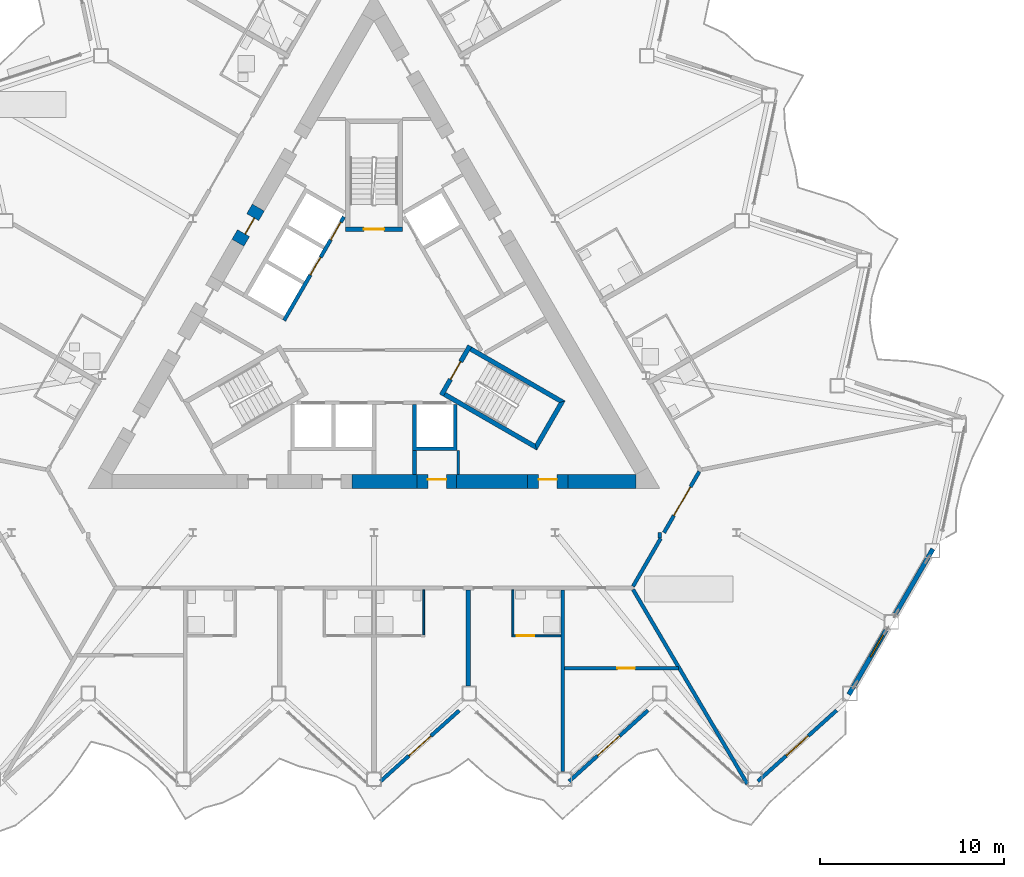
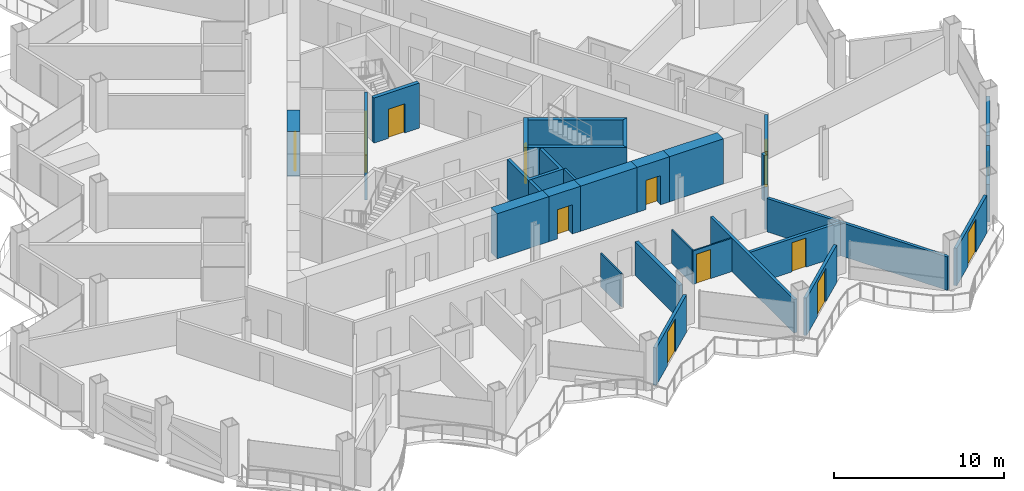
# One storey, part 12 of 23: 30 walls, 13 doors, 1 window, 14 openings.
"""IFC4 building model written with IfcOpenShell, lengths in metres."""

from ifc_helpers import new_model, si_unit, direction, frame, frame_2d, origin, place, context, subcontext, project, spatial, polyline, rectangle, outline, extrude, material, layer, layer_set, type_object, element, fill, save


model = new_model("IFC4")

# Units and contexts
model_context = context("Model", 3, precision=1e-05, world=origin(), true_north=direction((0.0, 1.0)))
body_context = subcontext(model_context, "Body", "Model", "MODEL_VIEW")
ifc_project = project(units=[si_unit("LENGTHUNIT", "METRE"), si_unit("AREAUNIT", "SQUARE_METRE"), si_unit("VOLUMEUNIT", "CUBIC_METRE"), si_unit("PLANEANGLEUNIT", "RADIAN"), si_unit("MASSUNIT", "GRAM", prefix="KILO")], contexts=[model_context])

# Site, building, storey
site_placement = place(None, origin())
site = spatial("IfcSite", under=ifc_project, at=site_placement, CompositionType="ELEMENT")
building_placement = place(site_placement, origin())
building = spatial("IfcBuilding", under=site, at=building_placement, Name="Cormorant Prow Tower", CompositionType="ELEMENT")
storey_placement = place(building_placement, frame((0.0, 0.0, 176.39990234375)))
storey = spatial("IfcBuildingStorey", under=building, at=storey_placement, Name="L37", CompositionType="ELEMENT", Elevation=176.39990234375)

# Walls
ifc_material_1 = material(Name="Gypsum board partition")
ifc_layer_1 = layer(ifc_material_1, 0.14990234375)
ifc_layer_set_1 = layer_set([ifc_layer_1], Name="Gypsum board partition")
wall_type_1 = type_object("IfcWallType", Name="Core partition 150", PredefinedType="PARTITIONING", material=ifc_layer_set_1)
wall_1_placement = place(storey_placement, frame((4.574951171875, -6.906005859375, 0.0), z_axis=(0.0, 0.0, 1.0), x_axis=(0.0, -1.0, 0.0)))
element("IfcWall", 1, at=wall_1_placement, inside=storey, type_object=wall_type_1, Name="Service room partition", PredefinedType="PARTITIONING", context=body_context, shape_type="SweptSolid", body=[
    extrude(rectangle(XDim=1.29296875, YDim=0.14990234375, at=frame_2d((0.646484375, 0.0))), origin(), (0.0, 0.0, 1.0), 3.25),
])
ifc_material_2 = material(Name="Concrete 8000 psi", Category="concrete")
ifc_layer_2 = layer(ifc_material_2, 0.75)
ifc_layer_set_2 = layer_set([ifc_layer_2], Name="Concrete 8000 psi")
wall_type_2 = type_object("IfcWallType", Name="Core shear wall 750", PredefinedType="SHEAR", material=ifc_layer_set_2)
wall_2_placement = place(storey_placement, frame((4.47998046875, -8.573974609375, 0.0), z_axis=(0.0, 0.0, 1.0), x_axis=(1.0, 0.0, 0.0)))
element("IfcWall", 2, at=wall_2_placement, inside=storey, type_object=wall_type_2, Name="Core wall", PredefinedType="SHEAR", context=body_context, shape_type="SweptSolid", body=[
    extrude(rectangle(XDim=3.845458984375, YDim=0.75, at=frame_2d((1.9228515625, 0.0))), origin(), (0.0, 0.0, 1.0), 3.25),
])
wall_3_placement = place(storey_placement, frame((10.525390625, -8.573974609375, 0.0), z_axis=(0.0, 0.0, 1.0), x_axis=(1.0, 0.0, 0.0)))
element("IfcWall", 3, at=wall_3_placement, inside=storey, type_object=wall_type_2, Name="Core wall", PredefinedType="SHEAR", context=body_context, shape_type="SweptSolid", body=[
    extrude(rectangle(XDim=3.675537109375, YDim=0.75, at=frame_2d((1.837890625, 0.0))), origin(), (0.0, 0.0, 1.0), 3.25),
])
wall_4_placement = place(storey_placement, frame((-1.199951171875, -8.573974609375, 0.0), z_axis=(0.0, 0.0, 1.0), x_axis=(1.0, 0.0, 0.0)))
element("IfcWall", 4, at=wall_4_placement, inside=storey, type_object=wall_type_2, Name="Core wall", PredefinedType="SHEAR", context=body_context, shape_type="SweptSolid", body=[
    extrude(rectangle(XDim=3.52001953125, YDim=0.75, at=frame_2d((1.760009765625, 0.0))), origin(), (0.0, 0.0, 1.0), 3.25),
])

# Wall, opening, door
wall_5_placement = place(storey_placement, frame((2.320068359375, -8.573974609375, 0.0), z_axis=(0.0, 0.0, 1.0), x_axis=(1.0, 0.0, 0.0)))
wall_5 = element("IfcWall", 5, at=wall_5_placement, inside=storey, type_object=wall_type_2, Name="Core wall door panel", PredefinedType="SHEAR", context=body_context, shape_type="SweptSolid", body=[
    extrude(rectangle(XDim=2.159912109375, YDim=0.75, at=frame_2d((1.080078125, 0.0))), origin(), (0.0, 0.0, 1.0), 3.25),
])
opening_1_placement = place(wall_5_placement, frame((0.60009765625, 0.0, 0.0)))
opening_1 = element("IfcOpeningElement", 6, at=opening_1_placement, cuts=wall_5, Name="Opening L37-C15", PredefinedType="OPENING", context=body_context, shape_type="SweptSolid", body=[
    extrude(rectangle(XDim=1.0, YDim=2.10009765625, at=frame_2d((0.5, 1.050048828125))), frame((0.0, 0.385009765625, 0.0), z_axis=(0.0, -1.0, 0.0), x_axis=(1.0, 0.0, 0.0)), (0.0, 0.0, 1.0), 0.77001953125),
])
ifc_material_3 = material(Name="Painted steel", Category="steel")
door_type_1 = type_object("IfcDoorType", Name="Service door 1000x2100", OperationType="NOTDEFINED", PredefinedType="DOOR", material=ifc_material_3)
door_1_placement = place(opening_1_placement, origin())
door_1 = element("IfcDoor", 7, at=door_1_placement, inside=storey, type_object=door_type_1, Name="Core door, Telecom room", OperationType="SINGLE_SWING_LEFT", OverallHeight=2.10009765625, OverallWidth=1.0, PredefinedType="DOOR", context=body_context, shape_type="SweptSolid", body=[
    extrude(rectangle(XDim=1.0, YDim=2.10009765625, at=frame_2d((0.5, 1.050048828125))), frame((0.0, 0.1298828125, 0.0), z_axis=(0.0, -1.0, 0.0), x_axis=(1.0, 0.0, 0.0)), (0.0, 0.0, 1.0), 0.050048828125),
])
fill(opening_1, door_1)

wall_6_placement = place(storey_placement, frame((8.325439453125, -8.573974609375, 0.0), z_axis=(0.0, 0.0, 1.0), x_axis=(1.0, 0.0, 0.0)))
wall_6 = element("IfcWall", 8, at=wall_6_placement, inside=storey, type_object=wall_type_2, Name="Core wall door panel", PredefinedType="SHEAR", context=body_context, shape_type="SweptSolid", body=[
    extrude(rectangle(XDim=2.199951171875, YDim=0.75, at=frame_2d((1.10009765625, 0.0))), origin(), (0.0, 0.0, 1.0), 3.25),
])
opening_2_placement = place(wall_6_placement, frame((0.60009765625, 0.0, 0.0)))
opening_2 = element("IfcOpeningElement", 9, at=opening_2_placement, cuts=wall_6, Name="Opening L37-C17", PredefinedType="OPENING", context=body_context, shape_type="SweptSolid", body=[
    extrude(rectangle(XDim=1.0, YDim=2.10009765625, at=frame_2d((0.5, 1.050048828125))), frame((0.0, 0.385009765625, 0.0), z_axis=(0.0, -1.0, 0.0), x_axis=(1.0, 0.0, 0.0)), (0.0, 0.0, 1.0), 0.77001953125),
])
door_2_placement = place(opening_2_placement, origin())
door_2 = element("IfcDoor", 10, at=door_2_placement, inside=storey, type_object=door_type_1, Name="Core door, Cleaners store", OperationType="SINGLE_SWING_LEFT", OverallHeight=2.10009765625, OverallWidth=1.0, PredefinedType="DOOR", context=body_context, shape_type="SweptSolid", body=[
    extrude(rectangle(XDim=1.0, YDim=2.10009765625, at=frame_2d((0.5, 1.050048828125))), frame((0.0, 0.1298828125, 0.0), z_axis=(0.0, -1.0, 0.0), x_axis=(1.0, 0.0, 0.0)), (0.0, 0.0, 1.0), 0.050048828125),
])
fill(opening_2, door_2)

wall_7_placement = place(storey_placement, frame((-6.275390625, 6.27880859375, 0.0), z_axis=(0.0, 0.0, 1.0), x_axis=(-0.499946605688, -0.86605622881, 0.0)))
wall_7 = element("IfcWall", 11, at=wall_7_placement, inside=storey, type_object=wall_type_2, Name="Core wall door panel", PredefinedType="SHEAR", context=body_context, shape_type="SweptSolid", body=[
    extrude(rectangle(XDim=2.199951171875, YDim=0.75, at=frame_2d((1.10009765625, 0.0))), origin(), (0.0, 0.0, 1.0), 3.25),
])
opening_3_placement = place(wall_7_placement, frame((0.60009765625, 0.0, 0.0)))
opening_3 = element("IfcOpeningElement", 12, at=opening_3_placement, cuts=wall_7, Name="Opening L37-C18", PredefinedType="OPENING", context=body_context, shape_type="SweptSolid", body=[
    extrude(rectangle(XDim=1.0, YDim=2.10009765625, at=frame_2d((0.5, 1.050048828125))), frame((0.0, 0.385009765625, 0.0), z_axis=(0.0, -1.0, 0.0), x_axis=(1.0, 0.0, 0.0)), (0.0, 0.0, 1.0), 0.77001953125),
])
door_3_placement = place(opening_3_placement, origin())
door_3 = element("IfcDoor", 13, at=door_3_placement, inside=storey, type_object=door_type_1, Name="Core door, Electrical room", OperationType="SINGLE_SWING_RIGHT", OverallHeight=2.10009765625, OverallWidth=1.0, PredefinedType="DOOR", context=body_context, shape_type="SweptSolid", body=[
    extrude(rectangle(XDim=1.0, YDim=2.10009765625, at=frame_2d((0.5, 1.050048828125))), frame((0.0, 0.1298828125, 0.0), z_axis=(0.0, -1.0, 0.0), x_axis=(1.0, 0.0, 0.0)), (0.0, 0.0, 1.0), 0.050048828125),
])
fill(opening_3, door_3)

ifc_material_4 = material(Name="Gypsum board corridor wall")
ifc_layer_3 = layer(ifc_material_4, 0.199951171875)
ifc_layer_set_3 = layer_set([ifc_layer_3], Name="Gypsum board corridor wall")
wall_type_3 = type_object("IfcWallType", Name="Corridor wall 200", PredefinedType="PARTITIONING", material=ifc_layer_set_3)
wall_8_placement = place(storey_placement, frame((15.73095703125, -11.348876953125, 0.0), z_axis=(0.0, 0.0, 1.0), x_axis=(0.499961815444, 0.866047448526, 0.0)))
wall_8 = element("IfcWall", 14, at=wall_8_placement, inside=storey, type_object=wall_type_3, Name="Corridor wall", PredefinedType="PARTITIONING", context=body_context, shape_type="SweptSolid", body=[
    extrude(rectangle(XDim=3.825927734375, YDim=0.199951171875, at=frame_2d((1.9130859375, 0.0))), origin(), (0.0, 0.0, 1.0), 3.25),
])
opening_4_placement = place(wall_8_placement, frame((1.06396484375, 0.0, 0.0)))
opening_4 = element("IfcOpeningElement", 15, at=opening_4_placement, cuts=wall_8, Name="Opening L37-F13", PredefinedType="OPENING", context=body_context, shape_type="SweptSolid", body=[
    extrude(rectangle(XDim=1.800048828125, YDim=2.10009765625, at=frame_2d((0.89990234375, 1.050048828125))), frame((0.0, 0.10986328125, 0.0), z_axis=(0.0, -1.0, 0.0), x_axis=(1.0, 0.0, 0.0)), (0.0, 0.0, 1.0), 0.219970703125),
])
ifc_material_5 = material(Name="Timber door leaf", Category="wood")
door_type_2 = type_object("IfcDoorType", Name="Double door 1800x2100", OperationType="DOUBLE_DOOR_SINGLE_SWING", PredefinedType="DOOR", material=ifc_material_5)
door_4_placement = place(opening_4_placement, origin())
door_4 = element("IfcDoor", 16, at=door_4_placement, inside=storey, type_object=door_type_2, Name="Co-working space door", OperationType="DOUBLE_DOOR_SINGLE_SWING", OverallHeight=2.10009765625, OverallWidth=1.800048828125, PredefinedType="DOOR", context=body_context, shape_type="SweptSolid", body=[
    extrude(rectangle(XDim=1.800048828125, YDim=2.10009765625, at=frame_2d((0.89990234375, 1.050048828125))), frame((0.0, 0.02490234375, 0.0), z_axis=(0.0, -1.0, 0.0), x_axis=(1.0, 0.0, 0.0)), (0.0, 0.0, 1.0), 0.050048828125),
])
fill(opening_4, door_4)

# Walls
wall_9_placement = place(storey_placement, frame((14.048828125, -14.26220703125, 0.0), z_axis=(0.0, 0.0, 1.0), x_axis=(0.500048608389, 0.865997337899, 0.0)))
element("IfcWall", 17, at=wall_9_placement, inside=storey, type_object=wall_type_3, Name="Corridor wall", PredefinedType="PARTITIONING", context=body_context, shape_type="SweptSolid", body=[
    extrude(rectangle(XDim=3.002197265625, YDim=0.199951171875, at=frame_2d((1.5009765625, 0.0))), origin(), (0.0, 0.0, 1.0), 3.25),
])
wall_10_placement = place(storey_placement, frame((15.5, -11.64892578125, 0.0), z_axis=(0.0, 0.0, 1.0), x_axis=(0.0, 1.0, 0.0)))
element("IfcWall", 18, at=wall_10_placement, inside=storey, type_object=wall_type_3, Name="Corridor wall", PredefinedType="PARTITIONING", context=body_context, shape_type="SweptSolid", body=[
    extrude(rectangle(XDim=0.31005859375, YDim=0.199951171875, at=frame_2d((0.155029296875, 0.0))), origin(), (0.0, 0.0, 1.0), 3.25),
])
ifc_material_6 = material(Name="Gypsum board demising wall")
ifc_layer_4 = layer(ifc_material_6, 0.199951171875)
ifc_layer_set_4 = layer_set([ifc_layer_4], Name="Gypsum board demising wall")
wall_type_4 = type_object("IfcWallType", Name="Demising wall 200", PredefinedType="PARTITIONING", material=ifc_layer_set_4)
wall_11_placement = place(storey_placement, frame((14.049560546875, -14.43505859375, 0.0), z_axis=(0.0, 0.0, 1.0), x_axis=(0.50691019554, -0.861998871031, 0.0)))
element("IfcWall", 19, at=wall_11_placement, inside=storey, type_object=wall_type_4, Name="Demising wall", PredefinedType="PARTITIONING", context=body_context, shape_type="SweptSolid", body=[
    extrude(rectangle(XDim=12.2294921875, YDim=0.199951171875, at=frame_2d((6.11474609375, 0.0))), origin(), (0.0, 0.0, 1.0), 2.404296875),
])
wall_12_placement = place(storey_placement, frame((10.2314453125, -24.3115234375, 0.0), z_axis=(0.0, 0.0, 1.0), x_axis=(0.0, 1.0, 0.0)))
element("IfcWall", 20, at=wall_12_placement, inside=storey, type_object=wall_type_4, Name="Demising wall", PredefinedType="PARTITIONING", context=body_context, shape_type="SweptSolid", body=[
    extrude(rectangle(XDim=9.862548828125, YDim=0.199951171875, at=frame_2d((4.93115234375, 0.0))), origin(), (0.0, 0.0, 1.0), 2.404296875),
])

# Wall, opening, door
wall_13_placement = place(storey_placement, frame((10.331298828125, -18.698974609375, 0.0), z_axis=(0.0, 0.0, 1.0), x_axis=(1.0, 0.0, 0.0)))
wall_13 = element("IfcWall", 21, at=wall_13_placement, inside=storey, type_object=wall_type_4, Name="Demising wall", PredefinedType="PARTITIONING", context=body_context, shape_type="SweptSolid", body=[
    extrude(rectangle(XDim=6.17919921875, YDim=0.199951171875, at=frame_2d((3.089599609375, 0.0))), origin(), (0.0, 0.0, 1.0), 2.404296875),
])
opening_5_placement = place(wall_13_placement, frame((2.865966796875, 0.0, 0.0)))
opening_5 = element("IfcOpeningElement", 22, at=opening_5_placement, cuts=wall_13, Name="Opening L37-F12", PredefinedType="OPENING", context=body_context, shape_type="SweptSolid", body=[
    extrude(rectangle(XDim=0.949951171875, YDim=2.10009765625, at=frame_2d((0.47509765625, 1.050048828125))), frame((0.0, 0.10986328125, 0.0), z_axis=(0.0, -1.0, 0.0), x_axis=(1.0, 0.0, 0.0)), (0.0, 0.0, 1.0), 0.219970703125),
])
ifc_material_7 = material(Name="Timber door leaf", Category="wood")
door_type_3 = type_object("IfcDoorType", Name="Store door 950x2100", OperationType="NOTDEFINED", PredefinedType="DOOR", material=ifc_material_7)
door_5_placement = place(opening_5_placement, origin())
door_5 = element("IfcDoor", 23, at=door_5_placement, inside=storey, type_object=door_type_3, Name="Linen store door", OperationType="SINGLE_SWING_LEFT", OverallHeight=2.10009765625, OverallWidth=0.949951171875, PredefinedType="DOOR", context=body_context, shape_type="SweptSolid", body=[
    extrude(rectangle(XDim=0.949951171875, YDim=2.10009765625, at=frame_2d((0.47509765625, 1.050048828125))), frame((0.0, 0.02490234375, 0.0), z_axis=(0.0, -1.0, 0.0), x_axis=(1.0, 0.0, 0.0)), (0.0, 0.0, 1.0), 0.050048828125),
])
fill(opening_5, door_5)

ifc_material_8 = material(Name="Gypsum board partition")
ifc_layer_5 = layer(ifc_material_8, 0.10009765625)
ifc_layer_set_5 = layer_set([ifc_layer_5], Name="Gypsum board partition")
wall_type_5 = type_object("IfcWallType", Name="Internal partition 100", PredefinedType="PARTITIONING", material=ifc_layer_set_5)
wall_14_placement = place(storey_placement, frame((7.4814453125, -16.948974609375, 0.0), z_axis=(0.0, 0.0, 1.0), x_axis=(1.0, 0.0, 0.0)))
wall_14 = element("IfcWall", 24, at=wall_14_placement, inside=storey, type_object=wall_type_5, Name="Internal partition", PredefinedType="PARTITIONING", context=body_context, shape_type="SweptSolid", body=[
    extrude(rectangle(XDim=2.64990234375, YDim=0.10009765625, at=frame_2d((1.324951171875, 0.0))), origin(), (0.0, 0.0, 1.0), 2.404296875),
])
opening_6_placement = place(wall_14_placement, frame((0.25, 0.0, 0.0)))
opening_6 = element("IfcOpeningElement", 25, at=opening_6_placement, cuts=wall_14, Name="Opening L37-F10", PredefinedType="OPENING", context=body_context, shape_type="SweptSolid", body=[
    extrude(rectangle(XDim=0.949951171875, YDim=2.10009765625, at=frame_2d((0.47509765625, 1.050048828125))), frame((0.0, 0.06005859375, 0.0), z_axis=(0.0, -1.0, 0.0), x_axis=(1.0, 0.0, 0.0)), (0.0, 0.0, 1.0), 0.1201171875),
])
ifc_material_9 = material(Name="Timber door leaf", Category="wood")
door_type_4 = type_object("IfcDoorType", Name="Bathroom door 950x2100", OperationType="NOTDEFINED", PredefinedType="DOOR", material=ifc_material_9)
door_6_placement = place(opening_6_placement, origin())
door_6 = element("IfcDoor", 26, at=door_6_placement, inside=storey, type_object=door_type_4, Name="Guest room door", OperationType="SINGLE_SWING_LEFT", OverallHeight=2.10009765625, OverallWidth=0.949951171875, PredefinedType="DOOR", context=body_context, shape_type="SweptSolid", body=[
    extrude(rectangle(XDim=0.949951171875, YDim=2.10009765625, at=frame_2d((0.47509765625, 1.050048828125))), frame((0.0, 0.02490234375, 0.0), z_axis=(0.0, -1.0, 0.0), x_axis=(1.0, 0.0, 0.0)), (0.0, 0.0, 1.0), 0.050048828125),
])
fill(opening_6, door_6)

# Walls
for number, where, z_axis, x_axis, name in (
    (27, (2.699951171875, -16.89892578125, 0.0), (0.0, 0.0, 1.0), (0.0, 1.0, 0.0), "Internal partition"),
    (28, (7.531494140625, -16.89892578125, 0.0), (0.0, 0.0, 1.0), (0.0, 1.0, 0.0), "Internal partition"),
):
    element("IfcWall", number, at=place(storey_placement, frame(where, z_axis=z_axis, x_axis=x_axis)), inside=storey, type_object=wall_type_5, Name=name, PredefinedType="PARTITIONING", context=body_context, shape_type="SweptSolid", body=[
        extrude(rectangle(XDim=2.449951171875, YDim=0.10009765625, at=frame_2d((1.22509765625, 0.0))), origin(), (0.0, 0.0, 1.0), 2.404296875),
    ])

# Wall, openings, doors
ifc_material_10 = material(Name="Concrete 5000 psi", Category="concrete")
ifc_layer_6 = layer(ifc_material_10, 0.199951171875)
ifc_layer_set_6 = layer_set([ifc_layer_6], Name="Concrete 5000 psi")
wall_type_6 = type_object("IfcWallType", Name="Lift lobby wall 200", PredefinedType="SOLIDWALL", material=ifc_layer_set_6)
wall_15_placement = place(storey_placement, frame((-1.630615234375, 5.775634765625, 0.0), z_axis=(0.0, 0.0, 1.0), x_axis=(-0.499992876559, -0.866029516466, 0.0)))
wall_15 = element("IfcWall", 29, at=wall_15_placement, inside=storey, type_object=wall_type_6, Name="Lift lobby wall, WNW block", PredefinedType="SOLIDWALL", context=body_context, shape_type="SweptSolid", body=[
    extrude(rectangle(XDim=6.486328125, YDim=0.199951171875, at=frame_2d((3.2431640625, 0.0))), origin(), (0.0, 0.0, 1.0), 3.25),
])
opening_7_placement = place(wall_15_placement, frame((0.336669921875, 0.0, 0.0)))
opening_7 = element("IfcOpeningElement", 30, at=opening_7_placement, cuts=wall_15, Name="Opening L37-C08", PredefinedType="OPENING", context=body_context, shape_type="SweptSolid", body=[
    extrude(rectangle(XDim=1.10009765625, YDim=2.10009765625, at=frame_2d((0.550048828125, 1.050048828125))), frame((0.0, 0.10986328125, 0.0), z_axis=(0.0, -1.0, 0.0), x_axis=(1.0, 0.0, 0.0)), (0.0, 0.0, 1.0), 0.219970703125),
])
opening_8_placement = place(wall_15_placement, frame((2.53662109375, 0.0, 0.0)))
opening_8 = element("IfcOpeningElement", 31, at=opening_8_placement, cuts=wall_15, Name="Opening L37-C09", PredefinedType="OPENING", context=body_context, shape_type="SweptSolid", body=[
    extrude(rectangle(XDim=1.10009765625, YDim=2.10009765625, at=frame_2d((0.550048828125, 1.050048828125))), frame((0.0, 0.10986328125, 0.0), z_axis=(0.0, -1.0, 0.0), x_axis=(1.0, 0.0, 0.0)), (0.0, 0.0, 1.0), 0.219970703125),
])
ifc_material_11 = material(Name="Painted steel", Category="steel")
door_type_5 = type_object("IfcDoorType", Name="Lift landing door 1100x2100", OperationType="SLIDING_TO_LEFT", PredefinedType="DOOR", material=ifc_material_11)
door_7_placement = place(opening_7_placement, origin())
door_7 = element("IfcDoor", 32, at=door_7_placement, inside=storey, type_object=door_type_5, Name="Landing door MR2", OperationType="SLIDING_TO_LEFT", OverallHeight=2.10009765625, OverallWidth=1.10009765625, PredefinedType="DOOR", context=body_context, shape_type="SweptSolid", body=[
    extrude(rectangle(XDim=1.10009765625, YDim=2.10009765625, at=frame_2d((0.550048828125, 1.050048828125))), frame((0.0, 0.02490234375, 0.0), z_axis=(0.0, -1.0, 0.0), x_axis=(1.0, 0.0, 0.0)), (0.0, 0.0, 1.0), 0.050048828125),
])
fill(opening_7, door_7)
door_8_placement = place(opening_8_placement, origin())
door_8 = element("IfcDoor", 33, at=door_8_placement, inside=storey, type_object=door_type_5, Name="Landing door MR3", OperationType="SLIDING_TO_LEFT", OverallHeight=2.10009765625, OverallWidth=1.10009765625, PredefinedType="DOOR", context=body_context, shape_type="SweptSolid", body=[
    extrude(rectangle(XDim=1.10009765625, YDim=2.10009765625, at=frame_2d((0.550048828125, 1.050048828125))), frame((0.0, 0.02490234375, 0.0), z_axis=(0.0, -1.0, 0.0), x_axis=(1.0, 0.0, 0.0)), (0.0, 0.0, 1.0), 0.050048828125),
])
fill(opening_8, door_8)

# Walls
ifc_material_12 = material(Name="Concrete 8000 psi", Category="concrete")
ifc_layer_7 = layer(ifc_material_12, 0.199951171875)
ifc_layer_set_7 = layer_set([ifc_layer_7], Name="Concrete 8000 psi")
wall_type_7 = type_object("IfcWallType", Name="Lift shaft wall 200", PredefinedType="SHEAR", material=ifc_layer_set_7)
wall_16_placement = place(storey_placement, origin())
element("IfcWall", 34, at=wall_16_placement, inside=storey, type_object=wall_type_7, Name="Lift shaft walls, S block", PredefinedType="SHEAR", context=body_context, shape_type="SweptSolid", body=[
    extrude(outline(polyline([(4.5, -4.39990234375), (4.5, -6.906005859375), (2.10009765625, -6.906005859375), (2.10009765625, -4.39990234375), (2.300048828125, -4.39990234375), (2.300048828125, -6.699951171875), (4.300048828125, -6.699951171875), (4.300048828125, -4.39990234375), (4.5, -4.39990234375)])), origin(), (0.0, 0.0, 1.0), 3.25),
])
wall_17_placement = place(storey_placement, frame((2.199951171875, -6.906005859375, 0.0), z_axis=(0.0, 0.0, 1.0), x_axis=(0.0, -1.0, 0.0)))
element("IfcWall", 35, at=wall_17_placement, inside=storey, type_object=wall_type_7, Name="Store side wall", PredefinedType="SHEAR", context=body_context, shape_type="SweptSolid", body=[
    extrude(rectangle(XDim=1.29296875, YDim=0.199951171875, at=frame_2d((0.646484375, 0.0))), origin(), (0.0, 0.0, 1.0), 3.25),
])
ifc_material_13 = material(Name="Concrete 8000 psi", Category="concrete")
ifc_layer_8 = layer(ifc_material_13, 0.25)
ifc_layer_set_8 = layer_set([ifc_layer_8], Name="Concrete 8000 psi")
wall_type_8 = type_object("IfcWallType", Name="Stair wall 250", PredefinedType="SHEAR", material=ifc_layer_set_8)
wall_18_placement = place(storey_placement, origin())
element("IfcWall", 36, at=wall_18_placement, inside=storey, type_object=wall_type_8, Name="Stair ST2 enclosure wall (flank)", PredefinedType="SHEAR", context=body_context, shape_type="SweptSolid", body=[
    extrude(outline(polyline([(3.76318359375, -3.95556640625), (8.82958984375, -6.880615234375), (8.738037109375, -6.5390625), (3.88818359375, -3.739013671875), (3.76318359375, -3.95556640625)])), origin(), (0.0, 0.0, 1.0), 3.25),
])
wall_19_placement = place(storey_placement, origin())
element("IfcWall", 37, at=wall_19_placement, inside=storey, type_object=wall_type_8, Name="Stair ST2 enclosure wall (end)", PredefinedType="SHEAR", context=body_context, shape_type="SweptSolid", body=[
    extrude(outline(polyline([(8.82958984375, -6.880615234375), (10.37353515625, -4.206298828125), (10.031982421875, -4.2978515625), (8.738037109375, -6.5390625), (8.82958984375, -6.880615234375)])), origin(), (0.0, 0.0, 1.0), 3.25),
])
wall_20_placement = place(storey_placement, origin())
element("IfcWall", 38, at=wall_20_placement, inside=storey, type_object=wall_type_8, Name="Stair ST2 enclosure wall (flank)", PredefinedType="SHEAR", context=body_context, shape_type="SweptSolid", body=[
    extrude(outline(polyline([(10.031982421875, -4.2978515625), (10.37353515625, -4.206298828125), (5.30712890625, -1.28125), (5.18212890625, -1.497802734375), (10.031982421875, -4.2978515625)])), origin(), (0.0, 0.0, 1.0), 3.25),
])

# Wall, opening, door
wall_21_placement = place(storey_placement, frame((3.655029296875, -3.89306640625, 0.0), z_axis=(0.0, 0.0, 1.0), x_axis=(0.499982516597, 0.866035497597, 0.0)))
wall_21 = element("IfcWall", 39, at=wall_21_placement, inside=storey, type_object=wall_type_8, Name="Stair ST2 door wall", PredefinedType="SHEAR", context=body_context, shape_type="SweptSolid", body=[
    extrude(rectangle(XDim=3.087890625, YDim=0.25, at=frame_2d((1.5439453125, 0.0))), origin(), (0.0, 0.0, 1.0), 3.25),
])
opening_9_placement = place(wall_21_placement, frame((0.993896484375, 0.0, 0.0)))
opening_9 = element("IfcOpeningElement", 40, at=opening_9_placement, cuts=wall_21, Name="Opening L37-C12", PredefinedType="OPENING", context=body_context, shape_type="SweptSolid", body=[
    extrude(rectangle(XDim=1.10009765625, YDim=2.10009765625, at=frame_2d((0.550048828125, 1.050048828125))), frame((0.0, 0.135009765625, 0.0), z_axis=(0.0, -1.0, 0.0), x_axis=(1.0, 0.0, 0.0)), (0.0, 0.0, 1.0), 0.27001953125),
])
ifc_material_14 = material(Name="Painted steel", Category="steel")
door_type_6 = type_object("IfcDoorType", Name="Stair door 1100x2100", OperationType="NOTDEFINED", PredefinedType="DOOR", material=ifc_material_14)
door_9_placement = place(opening_9_placement, origin())
door_9 = element("IfcDoor", 41, at=door_9_placement, inside=storey, type_object=door_type_6, Name="Stair ST2 door", OperationType="SINGLE_SWING_RIGHT", OverallHeight=2.10009765625, OverallWidth=1.10009765625, PredefinedType="DOOR", context=body_context, shape_type="SweptSolid", body=[
    extrude(rectangle(XDim=1.10009765625, YDim=2.10009765625, at=frame_2d((0.550048828125, 1.050048828125))), frame((0.0, 0.02490234375, 0.0), z_axis=(0.0, -1.0, 0.0), x_axis=(1.0, 0.0, 0.0)), (0.0, 0.0, 1.0), 0.050048828125),
])
fill(opening_9, door_9)

wall_22_placement = place(storey_placement, frame((1.5439453125, 5.11181640625, 0.0), z_axis=(0.0, 0.0, 1.0), x_axis=(-1.0, 0.0, 0.0)))
wall_22 = element("IfcWall", 42, at=wall_22_placement, inside=storey, type_object=wall_type_8, Name="Stair ST3 door wall", PredefinedType="SHEAR", context=body_context, shape_type="SweptSolid", body=[
    extrude(rectangle(XDim=3.087890625, YDim=0.25, at=frame_2d((1.5439453125, 0.0))), origin(), (0.0, 0.0, 1.0), 3.25),
])
opening_10_placement = place(wall_22_placement, frame((0.993896484375, 0.0, 0.0)))
opening_10 = element("IfcOpeningElement", 43, at=opening_10_placement, cuts=wall_22, Name="Opening L37-C13", PredefinedType="OPENING", context=body_context, shape_type="SweptSolid", body=[
    extrude(rectangle(XDim=1.10009765625, YDim=2.10009765625, at=frame_2d((0.550048828125, 1.050048828125))), frame((0.0, 0.135009765625, 0.0), z_axis=(0.0, -1.0, 0.0), x_axis=(1.0, 0.0, 0.0)), (0.0, 0.0, 1.0), 0.27001953125),
])
door_10_placement = place(opening_10_placement, origin())
door_10 = element("IfcDoor", 44, at=door_10_placement, inside=storey, type_object=door_type_6, Name="Stair ST3 door", OperationType="SINGLE_SWING_RIGHT", OverallHeight=2.10009765625, OverallWidth=1.10009765625, PredefinedType="DOOR", context=body_context, shape_type="SweptSolid", body=[
    extrude(rectangle(XDim=1.10009765625, YDim=2.10009765625, at=frame_2d((0.550048828125, 1.050048828125))), frame((0.0, 0.02490234375, 0.0), z_axis=(0.0, -1.0, 0.0), x_axis=(1.0, 0.0, 0.0)), (0.0, 0.0, 1.0), 0.050048828125),
])
fill(opening_10, door_10)

# Wall
ifc_material_15 = material(Name="Acoustic gypsum party wall")
ifc_layer_9 = layer(ifc_material_15, 0.25)
ifc_layer_set_9 = layer_set([ifc_layer_9], Name="Acoustic gypsum party wall")
wall_type_9 = type_object("IfcWallType", Name="Suite party wall 250", PredefinedType="PARTITIONING", material=ifc_layer_set_9)
wall_23_placement = place(storey_placement, frame((5.11572265625, -19.661376953125, 0.0), z_axis=(0.0, 0.0, 1.0), x_axis=(0.0, 1.0, 0.0)))
element("IfcWall", 45, at=wall_23_placement, inside=storey, type_object=wall_type_9, Name="Suite party wall", PredefinedType="PARTITIONING", context=body_context, shape_type="SweptSolid", body=[
    extrude(rectangle(XDim=5.21240234375, YDim=0.25, at=frame_2d((2.606201171875, 0.0))), origin(), (0.0, 0.0, 1.0), 2.404296875),
])

# Wall, opening, window
ifc_material_16 = material(Name="Terracotta", Category="masonry")
ifc_layer_10 = layer(ifc_material_16, 0.25)
ifc_layer_set_10 = layer_set([ifc_layer_10], Name="Terracotta")
wall_type_10 = type_object("IfcWallType", Name="Terracotta bay wall 250", PredefinedType="SOLIDWALL", material=ifc_layer_set_10)
wall_24_placement = place(storey_placement, frame((25.754150390625, -20.1298828125, 0.0), z_axis=(0.0, 0.0, 1.0), x_axis=(0.500039726511, 0.866002466458, 0.0)))
wall_24 = element("IfcWall", 46, at=wall_24_placement, inside=storey, type_object=wall_type_10, Name="Terracotta bay wall ESE00", PredefinedType="SOLIDWALL", context=body_context, shape_type="SweptSolid", body=[
    extrude(rectangle(XDim=4.018798828125, YDim=0.25, at=frame_2d((2.00927734375, 0.0))), origin(), (0.0, 0.0, 1.0), 2.700927734375),
])
opening_11_placement = place(wall_24_placement, frame((2.35009765625, 0.0, 1.699951171875)))
opening_11 = element("IfcOpeningElement", 47, at=opening_11_placement, cuts=wall_24, Name="Opening WN3", PredefinedType="OPENING", context=body_context, shape_type="SweptSolid", body=[
    extrude(rectangle(XDim=1.39990234375, YDim=0.800048828125, at=frame_2d((0.699951171875, 0.39990234375))), frame((0.0, 0.135009765625, 0.0), z_axis=(0.0, -1.0, 0.0), x_axis=(1.0, 0.0, 0.0)), (0.0, 0.0, 1.0), 0.27001953125),
])
ifc_material_17 = material(Name="Aluminium 6063-T6", Category="aluminium")
window_type = type_object("IfcWindowType", Name="Corner bay window 1400x800", PartitioningType="SINGLE_PANEL", PredefinedType="WINDOW", material=ifc_material_17)
window_placement = place(opening_11_placement, origin())
window = element("IfcWindow", 48, at=window_placement, inside=storey, type_object=window_type, Name="Corner bay window ESE00", OverallHeight=0.800048828125, OverallWidth=1.39990234375, PartitioningType="SINGLE_PANEL", PredefinedType="WINDOW", context=body_context, shape_type="SweptSolid", body=[
    extrude(rectangle(XDim=1.39990234375, YDim=0.800048828125, at=frame_2d((0.699951171875, 0.39990234375))), frame((0.0, 0.030029296875, 0.0), z_axis=(0.0, -1.0, 0.0), x_axis=(1.0, 0.0, 0.0)), (0.0, 0.0, 1.0), 0.06005859375),
])
fill(opening_11, window)

# Wall
wall_25_placement = place(storey_placement, frame((28.283203125, -15.749755859375, 0.0), z_axis=(0.0, 0.0, 1.0), x_axis=(0.500005680777, 0.866022123962, 0.0)))
element("IfcWall", 49, at=wall_25_placement, inside=storey, type_object=wall_type_10, Name="Terracotta bay wall ESE01", PredefinedType="SOLIDWALL", context=body_context, shape_type="SweptSolid", body=[
    extrude(rectangle(XDim=4.05419921875, YDim=0.25, at=frame_2d((2.027099609375, 0.0))), origin(), (0.0, 0.0, 1.0), 2.700927734375),
])

# Wall, opening, door
ifc_material_18 = material(Name="Terracotta", Category="masonry")
ifc_layer_11 = layer(ifc_material_18, 0.199951171875)
ifc_layer_set_11 = layer_set([ifc_layer_11], Name="Terracotta")
wall_type_11 = type_object("IfcWallType", Name="Terracotta jamb wall 200", PredefinedType="SOLIDWALL", material=ifc_layer_set_11)
wall_26_placement = place(storey_placement, frame((0.355224609375, -24.836181640625, 0.0), z_axis=(0.0, 0.0, 1.0), x_axis=(0.74315473474, 0.669119600844, 0.0)))
wall_26 = element("IfcWall", 50, at=wall_26_placement, inside=storey, type_object=wall_type_11, Name="Terracotta jamb wall S05", PredefinedType="SOLIDWALL", context=body_context, shape_type="SweptSolid", body=[
    extrude(rectangle(XDim=5.747802734375, YDim=0.199951171875, at=frame_2d((2.8740234375, 0.0))), origin(), (0.0, 0.0, 1.0), 2.700927734375),
])
opening_12_placement = place(wall_26_placement, frame((2.073974609375, 0.0, 0.0)))
opening_12 = element("IfcOpeningElement", 51, at=opening_12_placement, cuts=wall_26, Name="Opening ED37.03", PredefinedType="OPENING", context=body_context, shape_type="SweptSolid", body=[
    extrude(rectangle(XDim=1.60009765625, YDim=2.39990234375, at=frame_2d((0.800048828125, 1.199951171875))), frame((0.0, 0.10986328125, 0.0), z_axis=(0.0, -1.0, 0.0), x_axis=(1.0, 0.0, 0.0)), (0.0, 0.0, 1.0), 0.219970703125),
])
ifc_material_19 = material(Name="Aluminium 6063-T6", Category="aluminium")
door_type_7 = type_object("IfcDoorType", Name="Balcony door 1600x2400", OperationType="DOUBLE_DOOR_SINGLE_SWING", PredefinedType="DOOR", material=ifc_material_19)
door_11_placement = place(opening_12_placement, origin())
door_11 = element("IfcDoor", 52, at=door_11_placement, inside=storey, type_object=door_type_7, Name="Balcony door S05 ED37.03", OperationType="DOUBLE_DOOR_SINGLE_SWING", OverallHeight=2.39990234375, OverallWidth=1.60009765625, PredefinedType="DOOR", context=body_context, shape_type="SweptSolid", body=[
    extrude(rectangle(XDim=1.60009765625, YDim=2.39990234375, at=frame_2d((0.800048828125, 1.199951171875))), frame((0.0, 0.02490234375, 0.0), z_axis=(0.0, -1.0, 0.0), x_axis=(1.0, 0.0, 0.0)), (0.0, 0.0, 1.0), 0.050048828125),
])
fill(opening_12, door_11)

wall_27_placement = place(storey_placement, frame((10.586669921875, -24.836181640625, 0.0), z_axis=(0.0, 0.0, 1.0), x_axis=(0.74315473474, 0.669119600844, 0.0)))
wall_27 = element("IfcWall", 53, at=wall_27_placement, inside=storey, type_object=wall_type_11, Name="Terracotta jamb wall S07", PredefinedType="SOLIDWALL", context=body_context, shape_type="SweptSolid", body=[
    extrude(rectangle(XDim=5.747802734375, YDim=0.199951171875, at=frame_2d((2.8740234375, 0.0))), origin(), (0.0, 0.0, 1.0), 2.700927734375),
])
opening_13_placement = place(wall_27_placement, frame((2.073974609375, 0.0, 0.0)))
opening_13 = element("IfcOpeningElement", 54, at=opening_13_placement, cuts=wall_27, Name="Opening ED37.04", PredefinedType="OPENING", context=body_context, shape_type="SweptSolid", body=[
    extrude(rectangle(XDim=1.60009765625, YDim=2.39990234375, at=frame_2d((0.800048828125, 1.199951171875))), frame((0.0, 0.10986328125, 0.0), z_axis=(0.0, -1.0, 0.0), x_axis=(1.0, 0.0, 0.0)), (0.0, 0.0, 1.0), 0.219970703125),
])
door_12_placement = place(opening_13_placement, origin())
door_12 = element("IfcDoor", 55, at=door_12_placement, inside=storey, type_object=door_type_7, Name="Balcony door S07 ED37.04", OperationType="DOUBLE_DOOR_SINGLE_SWING", OverallHeight=2.39990234375, OverallWidth=1.60009765625, PredefinedType="DOOR", context=body_context, shape_type="SweptSolid", body=[
    extrude(rectangle(XDim=1.60009765625, YDim=2.39990234375, at=frame_2d((0.800048828125, 1.199951171875))), frame((0.0, 0.02490234375, 0.0), z_axis=(0.0, -1.0, 0.0), x_axis=(1.0, 0.0, 0.0)), (0.0, 0.0, 1.0), 0.050048828125),
])
fill(opening_13, door_12)

wall_28_placement = place(storey_placement, frame((20.818115234375, -24.836181640625, 0.0), z_axis=(0.0, 0.0, 1.0), x_axis=(0.74315473474, 0.669119600844, 0.0)))
wall_28 = element("IfcWall", 56, at=wall_28_placement, inside=storey, type_object=wall_type_11, Name="Terracotta jamb wall S09", PredefinedType="SOLIDWALL", context=body_context, shape_type="SweptSolid", body=[
    extrude(rectangle(XDim=5.747802734375, YDim=0.199951171875, at=frame_2d((2.8740234375, 0.0))), origin(), (0.0, 0.0, 1.0), 2.700927734375),
])
opening_14_placement = place(wall_28_placement, frame((2.073974609375, 0.0, 0.0)))
opening_14 = element("IfcOpeningElement", 57, at=opening_14_placement, cuts=wall_28, Name="Opening ED37.05", PredefinedType="OPENING", context=body_context, shape_type="SweptSolid", body=[
    extrude(rectangle(XDim=1.60009765625, YDim=2.39990234375, at=frame_2d((0.800048828125, 1.199951171875))), frame((0.0, 0.10986328125, 0.0), z_axis=(0.0, -1.0, 0.0), x_axis=(1.0, 0.0, 0.0)), (0.0, 0.0, 1.0), 0.219970703125),
])
door_13_placement = place(opening_14_placement, origin())
door_13 = element("IfcDoor", 58, at=door_13_placement, inside=storey, type_object=door_type_7, Name="Balcony door S09 ED37.05", OperationType="DOUBLE_DOOR_SINGLE_SWING", OverallHeight=2.39990234375, OverallWidth=1.60009765625, PredefinedType="DOOR", context=body_context, shape_type="SweptSolid", body=[
    extrude(rectangle(XDim=1.60009765625, YDim=2.39990234375, at=frame_2d((0.800048828125, 1.199951171875))), frame((0.0, 0.02490234375, 0.0), z_axis=(0.0, -1.0, 0.0), x_axis=(1.0, 0.0, 0.0)), (0.0, 0.0, 1.0), 0.050048828125),
])
fill(opening_14, door_13)

save(model, "model.ifc")
